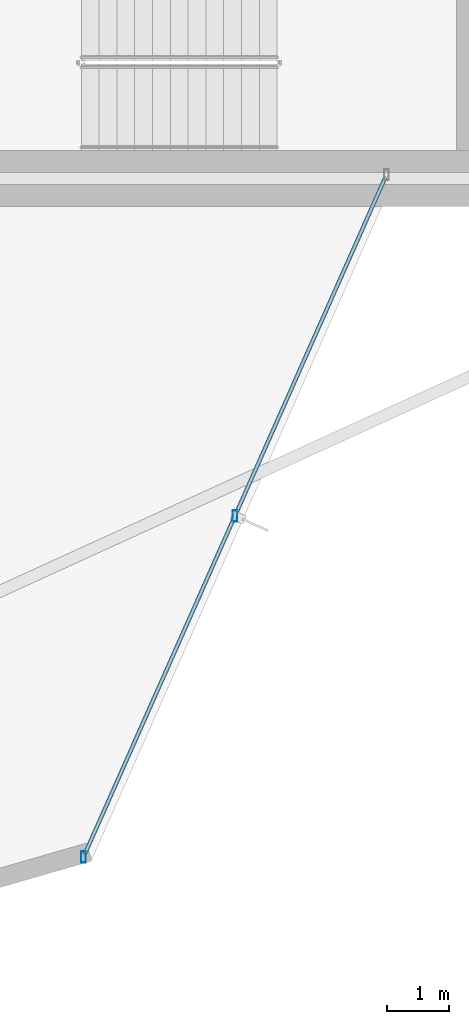
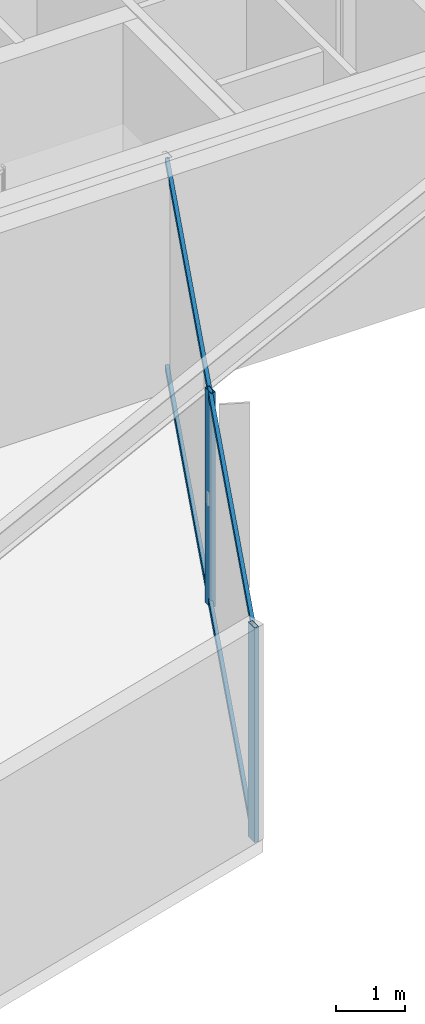
# One storey, part 10 of 23: 4 members, 1 element without a shape of its own.
"""IFC4 building model written with IfcOpenShell, lengths in metres."""

from ifc_helpers import new_model, si_unit, direction, frame, origin, origin_2d, place, context, subcontext, project, spatial, hollow_rectangle, extrude, material, layer, layer_set, material_profile, profile_set, type_object, element, aggregate, save


model = new_model("IFC4")

# Units and contexts
model_context = context("Model", 3, precision=1e-05, world=origin(), true_north=direction((0.0, 1.0)))
body_context = subcontext(model_context, "Body", "Model", "MODEL_VIEW")
ifc_project = project(units=[si_unit("LENGTHUNIT", "METRE"), si_unit("AREAUNIT", "SQUARE_METRE"), si_unit("VOLUMEUNIT", "CUBIC_METRE"), si_unit("PLANEANGLEUNIT", "RADIAN"), si_unit("MASSUNIT", "GRAM", prefix="KILO")], contexts=[model_context])

# Site, building, storey
site_placement = place(None, origin())
site = spatial("IfcSite", under=ifc_project, at=site_placement, CompositionType="ELEMENT")
building_placement = place(site_placement, origin())
building = spatial("IfcBuilding", under=site, at=building_placement, Name="Veymaron Broadcast Tower", CompositionType="ELEMENT")
storey_placement = place(building_placement, frame((0.0, 0.0, 94.5)))
storey = spatial("IfcBuildingStorey", under=building, at=storey_placement, Name="L21", CompositionType="ELEMENT", Elevation=94.5)

# Curtain wall, members
ifc_material_1 = material(Name="Anodised aluminium AA 6063-T6 and laminated low-E dark glass", Category="aluminium")
ifc_layer = layer(ifc_material_1, 0.179931640625)
ifc_layer_set = layer_set([ifc_layer], Name="Anodised aluminium AA 6063-T6 and laminated low-E dark glass")
curtain_wall_type = type_object("IfcCurtainWallType", Name="CW-SYS-02", PredefinedType="NOTDEFINED", material=ifc_layer_set)
curtain_wall_placement = place(storey_placement, origin())
curtain_wall = element("IfcCurtainWall", 1, at=curtain_wall_placement, inside=storey, type_object=curtain_wall_type, Name="L21 dark-glass curtain wall CW-L21-E20-1", PredefinedType="NOTDEFINED")
ifc_material_2 = material(Name="Anodised aluminium AA 6063-T6", Category="aluminium")
ifc_material_profile_1 = material_profile(ifc_material_2, hollow_rectangle(XDim=0.074951171875, YDim=0.179931640625, WallThickness=0.0048828125, at=origin_2d()), Name="AL180X75X5")
ifc_profile_set_1 = profile_set([ifc_material_profile_1], Name="Anodised aluminium AA 6063-T6")
member_type_1 = type_object("IfcMemberType", Name="CW-MUL-02", PredefinedType="MULLION", material=ifc_profile_set_1)
member_1_placement = place(storey_placement, frame((41.464111328125, 5.130859375, 0.0), z_axis=(0.0, 0.0, 1.0), x_axis=(1.0, 0.0, 0.0)))
member_1 = element("IfcMember", 2, at=member_1_placement, type_object=member_type_1, Name="CW-L21-E20-1 mullion 0", PredefinedType="MULLION", context=body_context, shape_type="SweptSolid", body=[
    extrude(hollow_rectangle(XDim=0.074951171875, YDim=0.179931640625, WallThickness=0.0048828125, at=origin_2d()), origin(), (0.0, 0.0, 1.0), 3.81005859375),
])
member_2_placement = place(storey_placement, frame((43.890380859375, 10.59375, 0.0), z_axis=(0.0, 0.0, 1.0), x_axis=(1.0, 0.0, 0.0)))
member_2 = element("IfcMember", 3, at=member_2_placement, type_object=member_type_1, Name="CW-L21-E20-1 mullion 1", PredefinedType="MULLION", context=body_context, shape_type="SweptSolid", body=[
    extrude(hollow_rectangle(XDim=0.074951171875, YDim=0.179931640625, WallThickness=0.0048828125, at=origin_2d()), origin(), (0.0, 0.0, 1.0), 3.81005859375),
])
ifc_material_profile_2 = material_profile(ifc_material_2, hollow_rectangle(XDim=0.06005859375, YDim=0.1201171875, WallThickness=0.00390625, at=origin_2d()), Name="AL120X60X4")
ifc_profile_set_2 = profile_set([ifc_material_profile_2], Name="Anodised aluminium AA 6063-T6")
member_type_2 = type_object("IfcMemberType", Name="CW-TRN-02", PredefinedType="USERDEFINED", material=ifc_profile_set_2)
member_3_placement = place(storey_placement, frame((41.484375, 5.176513671875, 0.070068359375), z_axis=(0.40590533863, 0.913915125201, 0.0), x_axis=(-0.913915125201, 0.40590533863, 0.0)))
member_3 = element("IfcMember", 4, at=member_3_placement, type_object=member_type_2, Name="CW-L21-E20-1 transom B", ObjectType="TRANSOM", PredefinedType="USERDEFINED", context=body_context, shape_type="SweptSolid", body=[
    extrude(hollow_rectangle(XDim=0.06005859375, YDim=0.1201171875, WallThickness=0.00390625, at=origin_2d()), origin(), (0.0, 0.0, 1.0), 11.85498046875),
])
member_4_placement = place(storey_placement, frame((41.484375, 5.176513671875, 3.739990234375), z_axis=(0.40590533863, 0.913915125201, 0.0), x_axis=(-0.913915125201, 0.40590533863, 0.0)))
member_4 = element("IfcMember", 5, at=member_4_placement, type_object=member_type_2, Name="CW-L21-E20-1 transom T", ObjectType="TRANSOM", PredefinedType="USERDEFINED", context=body_context, shape_type="SweptSolid", body=[
    extrude(hollow_rectangle(XDim=0.06005859375, YDim=0.1201171875, WallThickness=0.00390625, at=origin_2d()), origin(), (0.0, 0.0, 1.0), 11.85498046875),
])
aggregate(curtain_wall, [member_1, member_2, member_3, member_4])

save(model, "model.ifc")
